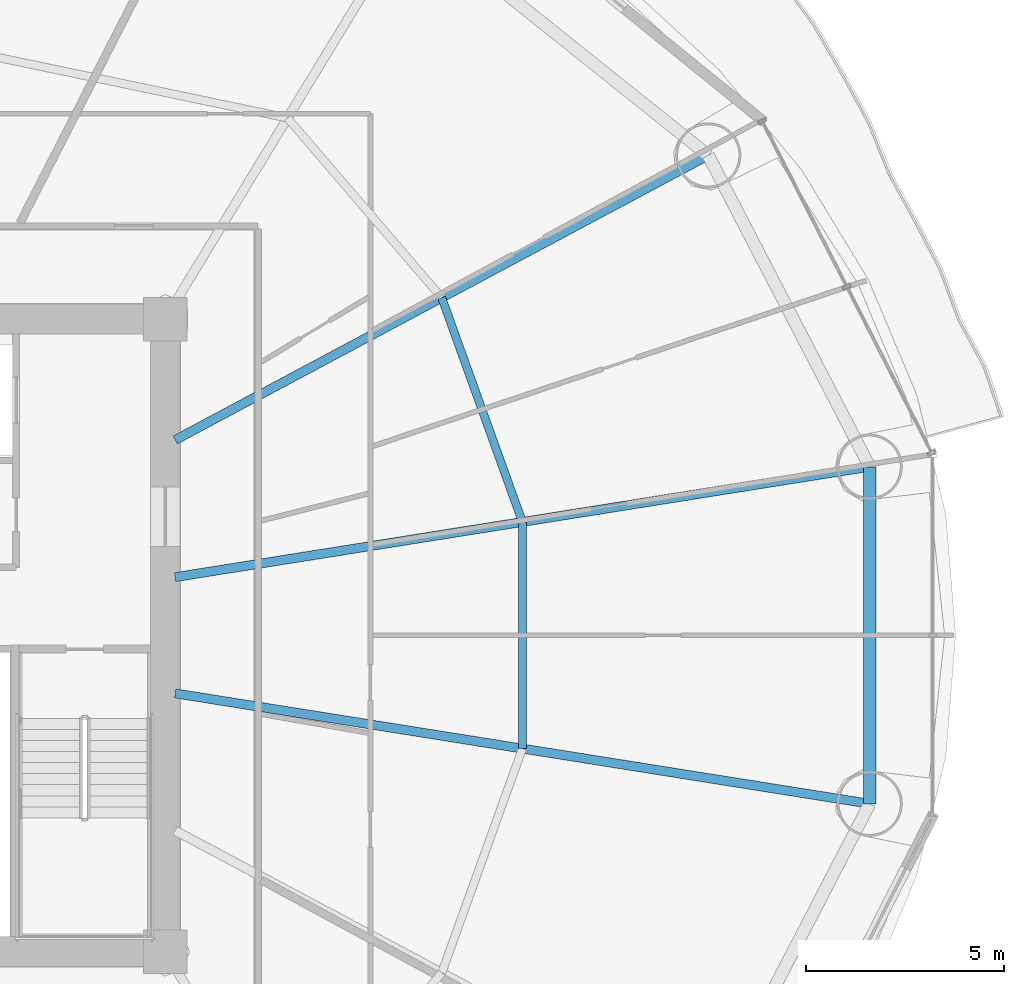
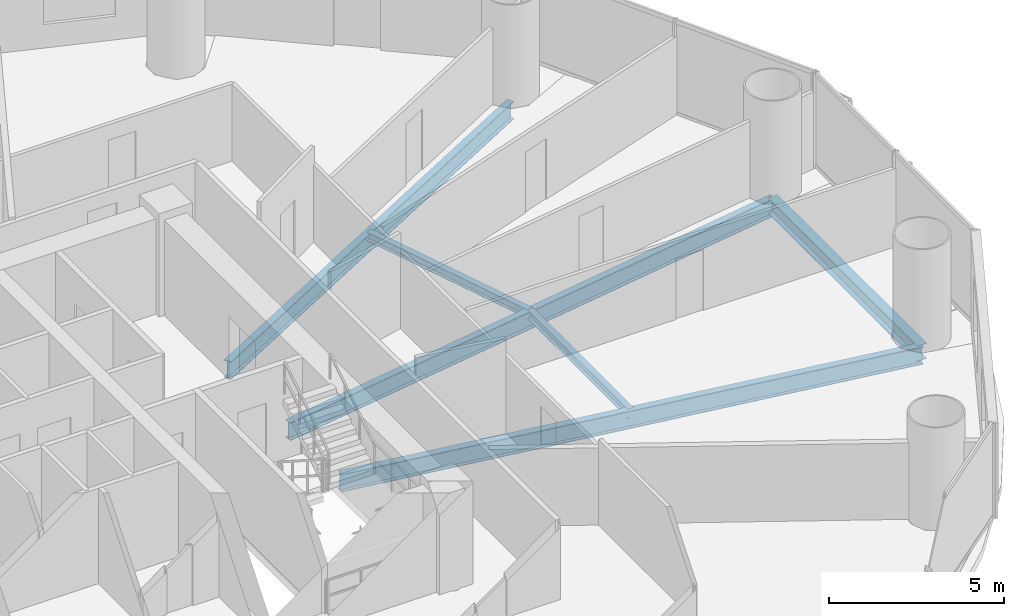
# One storey, part 13 of 29: 6 beams.
"""IFC4 building model written with IfcOpenShell, lengths in metres."""

from ifc_helpers import new_model, si_unit, direction, frame, origin, origin_2d, place, context, subcontext, project, spatial, i_section, extrude, material, material_profile, profile_set, type_object, element, save


model = new_model("IFC4")

# Units and contexts
model_context = context("Model", 3, precision=1e-05, world=origin(), true_north=direction((-0.2419218956, 0.970295726276)))
body_context = subcontext(model_context, "Body", "Model", "MODEL_VIEW")
ifc_project = project(units=[si_unit("LENGTHUNIT", "METRE"), si_unit("AREAUNIT", "SQUARE_METRE"), si_unit("VOLUMEUNIT", "CUBIC_METRE"), si_unit("PLANEANGLEUNIT", "RADIAN"), si_unit("MASSUNIT", "GRAM", prefix="KILO")], contexts=[model_context])

# Site, building, storey
site_placement = place(None, origin())
site = spatial("IfcSite", under=ifc_project, at=site_placement, CompositionType="ELEMENT")
building_placement = place(site_placement, origin())
building = spatial("IfcBuilding", under=site, at=building_placement, Name="Cobrevalo Terracotta Tower", CompositionType="ELEMENT")
storey_placement = place(building_placement, frame((0.0, 0.0, 52.800048828125)))
storey = spatial("IfcBuildingStorey", under=building, at=storey_placement, Name="L13", CompositionType="ELEMENT", Elevation=52.800048828125)

# Beams
ifc_material = material(Name="Steel S355", Category="steel")
ifc_material_profile_1 = material_profile(ifc_material, i_section(OverallWidth=0.22998046875, OverallDepth=0.616943359375, WebThickness=0.01318359375, FlangeThickness=0.022216796875, at=origin_2d()), Name="W 610x140")
ifc_profile_set_1 = profile_set([ifc_material_profile_1], Name="Steel S355")
beam_type_1 = type_object("IfcBeamType", Name="Structural Beam W 610x140 (Steel S355)", PredefinedType="BEAM", material=ifc_profile_set_1)
beam_1_placement = place(storey_placement, frame((64.824462890625, 31.062744140625, -0.588623046875), z_axis=(-0.987607924622, -0.156941349628, 0.0), x_axis=(0.156941349628, -0.987607924622, 0.0)))
element("IfcBeam", 1, at=beam_1_placement, inside=storey, type_object=beam_type_1, Name="L13 radial floor girder 01", PredefinedType="BEAM", context=body_context, shape_type="SweptSolid", body=[
    extrude(i_section(OverallWidth=0.22998046875, OverallDepth=0.616943359375, WebThickness=0.01318359375, FlangeThickness=0.022216796875, at=origin_2d()), origin(), (0.0, 0.0, 1.0), 17.7900390625),
])
beam_2_placement = place(storey_placement, frame((60.74072265625, 38.939208984375, -0.588623046875), z_axis=(-0.88218223571, -0.470908168329, 0.0), x_axis=(0.470908168329, -0.88218223571, 0.0)))
element("IfcBeam", 2, at=beam_2_placement, inside=storey, type_object=beam_type_1, Name="L13 radial floor girder 02", PredefinedType="BEAM", context=body_context, shape_type="SweptSolid", body=[
    extrude(i_section(OverallWidth=0.22998046875, OverallDepth=0.616943359375, WebThickness=0.01318359375, FlangeThickness=0.022216796875, at=origin_2d()), origin(), (0.0, 0.0, 1.0), 15.286865234375),
])
beam_3_placement = place(storey_placement, frame((64.824462890625, 22.537353515625, -0.588623046875), z_axis=(-0.987607924622, 0.156941349628, 0.0), x_axis=(-0.156941349628, -0.987607924622, 0.0)))
element("IfcBeam", 3, at=beam_3_placement, inside=storey, type_object=beam_type_1, Name="L13 radial floor girder 16", PredefinedType="BEAM", context=body_context, shape_type="SweptSolid", body=[
    extrude(i_section(OverallWidth=0.22998046875, OverallDepth=0.616943359375, WebThickness=0.01318359375, FlangeThickness=0.022216796875, at=origin_2d()), origin(), (0.0, 0.0, 1.0), 17.7900390625),
])
ifc_material_profile_2 = material_profile(ifc_material, i_section(OverallWidth=0.2041015625, OverallDepth=0.305908203125, WebThickness=0.008544921875, FlangeThickness=0.0146484375, at=origin_2d()), Name="W 310x67")
ifc_profile_set_2 = profile_set([ifc_material_profile_2], Name="Steel S355")
beam_type_2 = type_object("IfcBeamType", Name="Structural Joist W 310x67 (Steel S355)", PredefinedType="JOIST", material=ifc_profile_set_2)
beam_4_placement = place(storey_placement, frame((56.039794921875, 29.666748046875, -0.43310546875), z_axis=(-0.338672151116, 0.940904444701, 0.0), x_axis=(-0.940904444701, -0.338672151116, 0.0)))
element("IfcBeam", 4, at=beam_4_placement, inside=storey, type_object=beam_type_2, Name="L13 circumferential secondary floor joist 01", PredefinedType="JOIST", context=body_context, shape_type="SweptSolid", body=[
    extrude(i_section(OverallWidth=0.2041015625, OverallDepth=0.305908203125, WebThickness=0.008544921875, FlangeThickness=0.0146484375, at=origin_2d()), origin(), (0.0, 0.0, 1.0), 6.029296875),
])
beam_5_placement = place(storey_placement, frame((56.039794921875, 23.933349609375, -0.43310546875), z_axis=(0.0, 1.0, 0.0), x_axis=(-1.0, 0.0, 0.0)))
element("IfcBeam", 5, at=beam_5_placement, inside=storey, type_object=beam_type_2, Name="L13 circumferential secondary floor joist 16", PredefinedType="JOIST", context=body_context, shape_type="SweptSolid", body=[
    extrude(i_section(OverallWidth=0.2041015625, OverallDepth=0.305908203125, WebThickness=0.008544921875, FlangeThickness=0.0146484375, at=origin_2d()), origin(), (0.0, 0.0, 1.0), 5.7333984375),
])
ifc_material_profile_3 = material_profile(ifc_material, i_section(OverallWidth=0.31201171875, OverallDepth=0.54296875, WebThickness=0.0126953125, FlangeThickness=0.020263671875, at=origin_2d()), Name="W 530x150")
ifc_profile_set_3 = profile_set([ifc_material_profile_3], Name="Steel S355")
beam_type_3 = type_object("IfcBeamType", Name="Structural Spandrel W 530x150 (Steel S355)", PredefinedType="SPANDREL", material=ifc_profile_set_3)
beam_6_placement = place(storey_placement, frame((64.824462890625, 22.537353515625, -0.551513671875), z_axis=(0.0, 1.0, 0.0), x_axis=(-1.0, 0.0, 0.0)))
element("IfcBeam", 6, at=beam_6_placement, inside=storey, type_object=beam_type_3, Name="L13 perimeter ring spandrel 16", PredefinedType="SPANDREL", context=body_context, shape_type="SweptSolid", body=[
    extrude(i_section(OverallWidth=0.31201171875, OverallDepth=0.54296875, WebThickness=0.0126953125, FlangeThickness=0.020263671875, at=origin_2d()), origin(), (0.0, 0.0, 1.0), 8.525390625),
])

save(model, "model.ifc")
